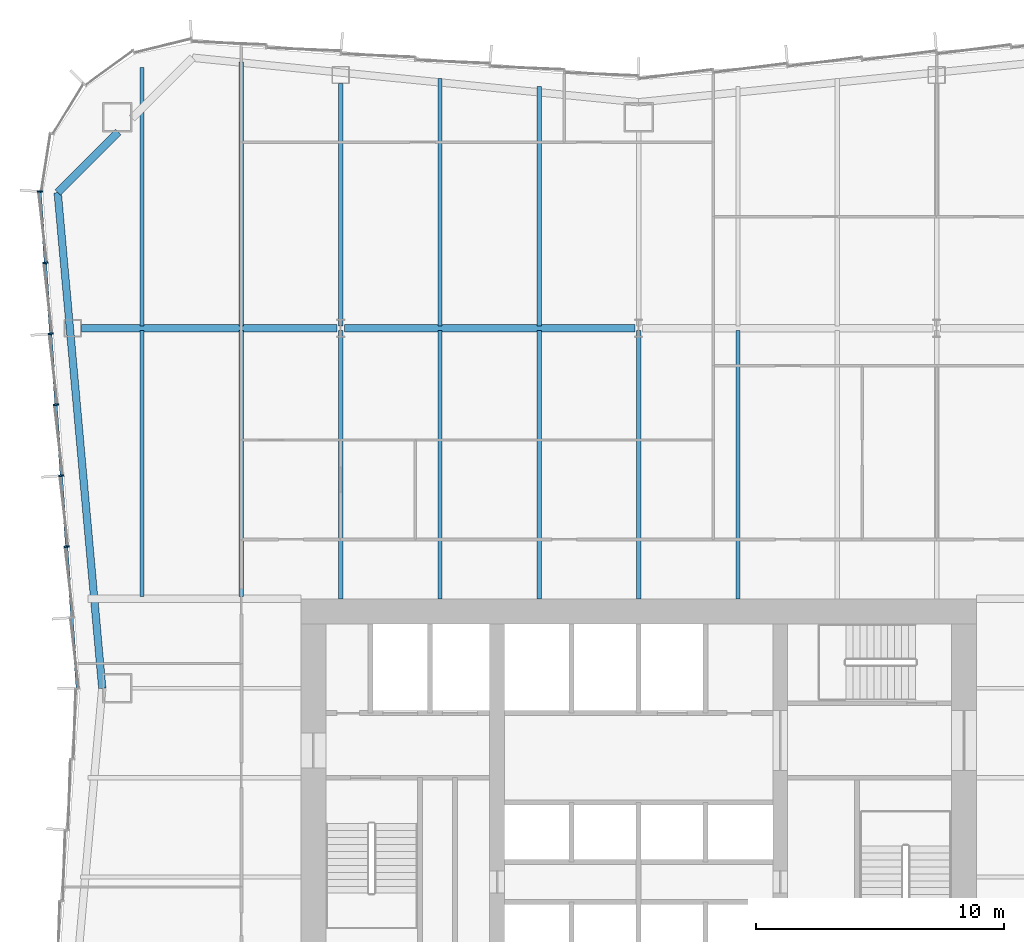
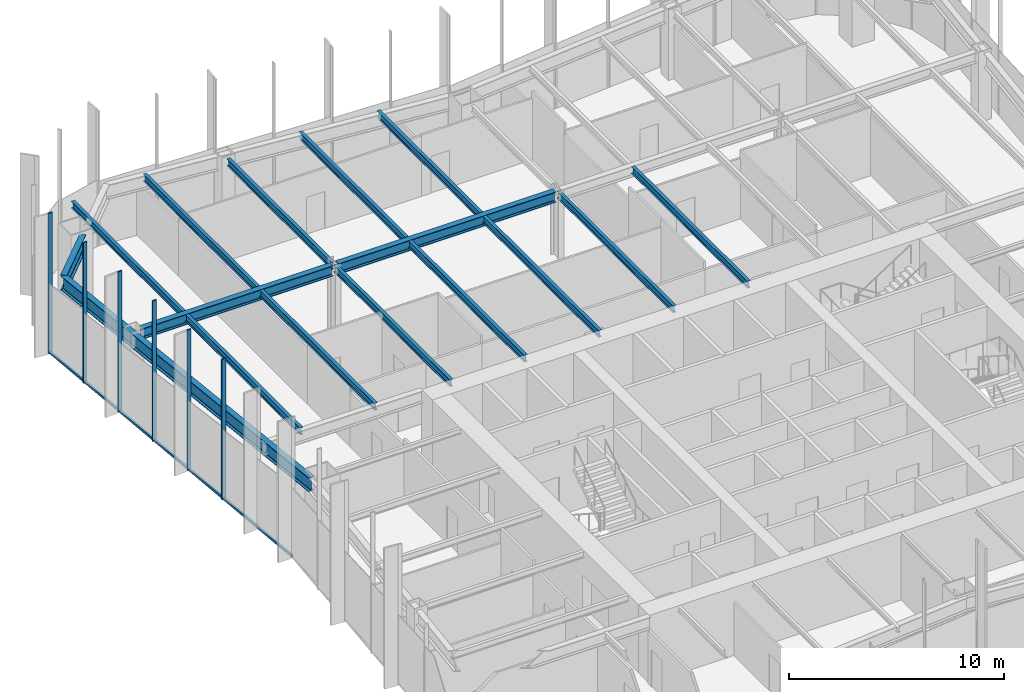
# One storey, part 5 of 14: 16 beams, 7 members, 1 element without a shape of its own.
"""IFC4 building model written with IfcOpenShell, lengths in metres."""

import ifcopenshell
import ifcopenshell.guid

model = None  # the IFC model being written
_history = None  # IfcOwnerHistory: only IFC2X3 demands one
_inside = {}  # id of a spatial element -> (the spatial element, [elements in it])
_under = {}  # id of a project, library or spatial element -> (it, [spatial elements below it])
_declared = {}  # id of a project -> (the project, [libraries it declares])
_typed = {}  # id of a type object -> (the type object, [elements of that type])
_made_of = {}  # id of a material, layer set ... -> (it, [elements and type objects made of it])


def new_model(schema):
    """Start an empty IFC model of exactly this schema.

    Asked for "IFC4X3", IfcOpenShell would pick the latest addendum, in which some entities
    have other attributes; the version numbers below select the first issue.
    IFC2X3 requires an IfcOwnerHistory on every rooted entity: one is made here for all.
    """
    global model, _history
    if schema == "IFC4X3":
        model = ifcopenshell.file(schema_version=(4, 3, 0, 0))
    else:
        model = ifcopenshell.file(schema=schema)
    _inside.clear()
    _under.clear()
    _declared.clear()
    _typed.clear()
    _made_of.clear()
    _history = None
    if model.schema == "IFC2X3":
        org = make("IfcOrganization", Name="unknown")
        user = make(
            "IfcPersonAndOrganization",
            ThePerson=make("IfcPerson", FamilyName="unknown"),
            TheOrganization=org,
        )
        app = make(
            "IfcApplication",
            ApplicationDeveloper=org,
            Version="unknown",
            ApplicationFullName="unknown",
            ApplicationIdentifier="unknown",
        )
        _history = make(
            "IfcOwnerHistory",
            OwningUser=user,
            OwningApplication=app,
            ChangeAction="ADDED",
            CreationDate=0,
        )
    return model


def make(cls, **values):
    """One entity of the class cls with the attributes given. An attribute that is None is left unset."""
    return model.create_entity(
        cls, **{name: value for name, value in values.items() if value is not None}
    )


def rooted(cls, **values):
    """An entity with a GlobalId (a new one), such as an element, a storey or a relation."""
    return make(cls, GlobalId=ifcopenshell.guid.new(), OwnerHistory=_history, **values)


def si_unit(unit_type, name, prefix=None):
    """IfcSIUnit, for example si_unit("LENGTHUNIT", "METRE", prefix="MILLI")."""
    return make("IfcSIUnit", UnitType=unit_type, Prefix=prefix, Name=name)


def assignment(units):
    """IfcUnitAssignment: the units of a project."""
    return None if units is None else make("IfcUnitAssignment", Units=units)


def point(xyz):
    """IfcCartesianPoint."""
    return None if xyz is None else make("IfcCartesianPoint", Coordinates=xyz)


def direction(xyz):
    """IfcDirection."""
    return None if xyz is None else make("IfcDirection", DirectionRatios=xyz)


def frame(location, z_axis=None, x_axis=None):
    """IfcAxis2Placement3D, a coordinate frame: its origin and axes. An axis left out is left unset."""
    return make(
        "IfcAxis2Placement3D",
        Location=point(location),
        Axis=direction(z_axis),
        RefDirection=direction(x_axis),
    )


def frame_2d(location, x_axis=None):
    """IfcAxis2Placement2D, a coordinate frame in the plane: its origin and x axis."""
    return make(
        "IfcAxis2Placement2D", Location=point(location), RefDirection=direction(x_axis)
    )


def origin():
    """The frame at (0, 0, 0) with its axes left unset."""
    return frame((0.0, 0.0, 0.0))


def origin_2d():
    """The frame at (0, 0) in the plane with its x axis left unset."""
    return frame_2d((0.0, 0.0))


def place(relative_to, where):
    """IfcLocalPlacement: puts the frame where relative to a parent placement (None: the world)."""
    return make(
        "IfcLocalPlacement", PlacementRelTo=relative_to, RelativePlacement=where
    )


def context(
    kind, dimensions, precision=None, world=None, true_north=None, identifier=None
):
    """IfcGeometricRepresentationContext, for example the 3D "Model" context."""
    return make(
        "IfcGeometricRepresentationContext",
        ContextIdentifier=identifier,
        ContextType=kind,
        CoordinateSpaceDimension=dimensions,
        Precision=precision,
        WorldCoordinateSystem=world,
        TrueNorth=true_north,
    )


def subcontext(parent, identifier, kind, view, scale=None):
    """IfcGeometricRepresentationSubContext, for example "Body" below "Model"."""
    return make(
        "IfcGeometricRepresentationSubContext",
        ContextIdentifier=identifier,
        ContextType=kind,
        ParentContext=parent,
        TargetScale=scale,
        TargetView=view,
    )


def project(units=None, contexts=None):
    """IfcProject with its units and contexts."""
    return rooted(
        "IfcProject",
        Name="project",
        RepresentationContexts=contexts,
        UnitsInContext=assignment(units),
    )


def spatial(cls, under=None, at=None, **own):
    """A site, building, storey or space (cls), placed at a placement, below another one or the project."""
    s = rooted(cls, ObjectPlacement=at, **own)
    if under is not None:
        _under.setdefault(under.id(), (under, []))[1].append(s)
    return s


def profile(cls, at=None, kind="AREA", **sizes):
    """A parametric profile (cls). Its sizes go by their IFC names, for example OverallWidth=200.0."""
    return make(cls, ProfileType=kind, Position=at, **sizes)


def rectangle(**sizes):
    """IfcRectangleProfileDef."""
    return profile("IfcRectangleProfileDef", **sizes)


def i_section(**sizes):
    """IfcIShapeProfileDef."""
    return profile("IfcIShapeProfileDef", **sizes)


def extrude(swept, where, along, depth):
    """IfcExtrudedAreaSolid: the profile swept, set in the frame where, extruded along a direction by depth."""
    return make(
        "IfcExtrudedAreaSolid",
        SweptArea=swept,
        Position=where,
        ExtrudedDirection=direction(along),
        Depth=depth,
    )


def shape(context_of_items, identifier, shape_type, items):
    """IfcShapeRepresentation: the items that make up one representation, for example the "Body"."""
    return make(
        "IfcShapeRepresentation",
        ContextOfItems=context_of_items,
        RepresentationIdentifier=identifier,
        RepresentationType=shape_type,
        Items=items,
    )


def material(Name=None, Category=None):
    """IfcMaterial."""
    return make("IfcMaterial", Name=Name, Category=Category)


def material_profile(
    of_material, cross_section, Name=None, Category=None, Priority=None
):
    """IfcMaterialProfile: a cross section and its material."""
    return make(
        "IfcMaterialProfile",
        Name=Name,
        Material=of_material,
        Profile=cross_section,
        Priority=Priority,
        Category=Category,
    )


def profile_set(profiles, Name=None, composite=None):
    """IfcMaterialProfileSet."""
    return make(
        "IfcMaterialProfileSet",
        Name=Name,
        MaterialProfiles=profiles,
        CompositeProfile=composite,
    )


def made_of(thing, what):
    """Note that an element or type object is made of a material, layer set ...; save() writes the relation."""
    if what is not None:
        _made_of.setdefault(what.id(), (what, []))[1].append(thing)
    return thing


def type_object(cls, material=None, **own):
    """A type object (cls), such as IfcWallType, which elements share."""
    return made_of(rooted(cls, **own), material)


def element(
    cls,
    number,
    at=None,
    inside=None,
    cuts=None,
    type_object=None,
    material=None,
    context=None,
    identifier="Body",
    shape_type=None,
    held_by="IfcProductDefinitionShape",
    body=None,
    shapes=None,
    **own,
):
    """One element of the class cls, such as IfcWall. Its Tag is "e" and its number.

    at: its placement. inside: the storey or other place that contains it. cuts: it is an
    opening in that element (IfcRelVoidsElement). A single representation is given by context,
    identifier, shape_type and body (its items); several are given by shapes. held_by: the class
    of the entity that holds the representations. save() writes the other relations.
    """
    e = rooted(cls, Tag="e%d" % number, ObjectPlacement=at, **own)
    if body is not None:
        shapes = [shape(context, identifier, shape_type, body)]
    if shapes is not None:
        e.Representation = make(held_by, Representations=shapes)
    if inside is not None:
        _inside.setdefault(inside.id(), (inside, []))[1].append(e)
    if cuts is not None:
        rooted(
            "IfcRelVoidsElement", RelatingBuildingElement=cuts, RelatedOpeningElement=e
        )
    if type_object is not None:
        _typed.setdefault(type_object.id(), (type_object, []))[1].append(e)
    return made_of(e, material)


def aggregate(whole, parts):
    """IfcRelAggregates: a whole, such as a stair, and the parts it consists of."""
    return rooted("IfcRelAggregates", RelatingObject=whole, RelatedObjects=parts)


def save(model, path):
    """Write the relations noted so far, then the file.

    IfcRelAggregates (storeys below a building ...), IfcRelContainedInSpatialStructure (elements
    in a storey), IfcRelDefinesByType, IfcRelAssociatesMaterial and IfcRelDeclares: one each for
    every whole, place, type object, material and project.
    """
    for whole, parts in _under.values():
        aggregate(whole, parts)
    for where, things in _inside.values():
        rooted(
            "IfcRelContainedInSpatialStructure",
            RelatedElements=things,
            RelatingStructure=where,
        )
    for kind, things in _typed.values():
        rooted("IfcRelDefinesByType", RelatedObjects=things, RelatingType=kind)
    for what, things in _made_of.values():
        rooted("IfcRelAssociatesMaterial", RelatedObjects=things, RelatingMaterial=what)
    for by, libraries in _declared.values():
        rooted("IfcRelDeclares", RelatingContext=by, RelatedDefinitions=libraries)
    model.write(path)


model = new_model("IFC4")

# Units and contexts
model_context = context("Model", 3, precision=1e-05, world=origin(), true_north=direction((0.0, 1.0)))
body_context = subcontext(model_context, "Body", "Model", "MODEL_VIEW")
ifc_project = project(units=[si_unit("LENGTHUNIT", "METRE"), si_unit("AREAUNIT", "SQUARE_METRE"), si_unit("VOLUMEUNIT", "CUBIC_METRE"), si_unit("PLANEANGLEUNIT", "RADIAN"), si_unit("MASSUNIT", "GRAM", prefix="KILO")], contexts=[model_context])

# Site, building, storey
site_placement = place(None, origin())
site = spatial("IfcSite", under=ifc_project, at=site_placement, CompositionType="ELEMENT")
building_placement = place(site_placement, origin())
building = spatial("IfcBuilding", under=site, at=building_placement, Name="Verdant Reach Tower", CompositionType="ELEMENT")
storey_placement = place(building_placement, frame((0.0, 0.0, 162.0)))
storey = spatial("IfcBuildingStorey", under=building, at=storey_placement, Name="L37", CompositionType="ELEMENT", Elevation=162.0)

# Curtain wall, members
ifc_material_1 = material(Name="Anodised aluminium", Category="aluminium")
curtain_wall_type = type_object("IfcCurtainWallType", Name="EN-CW SYSTEM Z2", PredefinedType="NOTDEFINED", material=ifc_material_1)
curtain_wall_placement = place(storey_placement, origin())
curtain_wall = element("IfcCurtainWall", 1, at=curtain_wall_placement, inside=storey, type_object=curtain_wall_type, Name="Curtain wall west, L37", PredefinedType="NOTDEFINED")
ifc_material_profile_1 = material_profile(ifc_material_1, rectangle(XDim=0.2119140625, YDim=0.06396484375, at=origin_2d()), Name="Mullion 64x212")
ifc_profile_set_1 = profile_set([ifc_material_profile_1], Name="Anodised aluminium")
member_type_1 = type_object("IfcMemberType", Name="EN-MULLION Z2", PredefinedType="MULLION", material=ifc_profile_set_1)
member_1_placement = place(storey_placement, frame((-24.105712890625, 55.00634765625, -0.35009765625), z_axis=(0.0, 0.0, 1.0), x_axis=(-0.998155887542, 0.060702752526, 0.0)))
member_1 = element("IfcMember", 2, at=member_1_placement, type_object=member_type_1, Name="Mullion west face part 1 1, L37", PredefinedType="MULLION", context=body_context, shape_type="SweptSolid", body=[
    extrude(rectangle(XDim=0.2119140625, YDim=0.06396484375, at=origin_2d()), origin(), (0.0, 0.0, 1.0), 8.0),
])
member_2_placement = place(storey_placement, frame((-23.891357421875, 52.135009765625, -0.35009765625), z_axis=(0.0, 0.0, 1.0), x_axis=(-0.997199309888, -0.074789948245, 0.0)))
member_2 = element("IfcMember", 3, at=member_2_placement, type_object=member_type_1, Name="Mullion west face part 1 2, L37", PredefinedType="MULLION", context=body_context, shape_type="SweptSolid", body=[
    extrude(rectangle(XDim=0.2119140625, YDim=0.06396484375, at=origin_2d()), origin(), (0.0, 0.0, 1.0), 8.0),
])
member_3_placement = place(storey_placement, frame((-23.67724609375, 49.27783203125, -0.35009765625), z_axis=(0.0, 0.0, 1.0), x_axis=(-0.997199309888, -0.074789948245, 0.0)))
member_3 = element("IfcMember", 4, at=member_3_placement, type_object=member_type_1, Name="Mullion west face part 1 3, L37", PredefinedType="MULLION", context=body_context, shape_type="SweptSolid", body=[
    extrude(rectangle(XDim=0.2119140625, YDim=0.06396484375, at=origin_2d()), origin(), (0.0, 0.0, 1.0), 8.0),
])
member_4_placement = place(storey_placement, frame((-23.462890625, 46.420654296875, -0.35009765625), z_axis=(0.0, 0.0, 1.0), x_axis=(-0.997199309888, -0.074789948245, 0.0)))
member_4 = element("IfcMember", 5, at=member_4_placement, type_object=member_type_1, Name="Mullion west face part 1 4, L37", PredefinedType="MULLION", context=body_context, shape_type="SweptSolid", body=[
    extrude(rectangle(XDim=0.2119140625, YDim=0.06396484375, at=origin_2d()), origin(), (0.0, 0.0, 1.0), 8.0),
])
member_5_placement = place(storey_placement, frame((-23.24853515625, 43.5634765625, -0.35009765625), z_axis=(0.0, 0.0, 1.0), x_axis=(-0.997199309888, -0.074789948245, 0.0)))
member_5 = element("IfcMember", 6, at=member_5_placement, type_object=member_type_1, Name="Mullion west face part 1 5, L37", PredefinedType="MULLION", context=body_context, shape_type="SweptSolid", body=[
    extrude(rectangle(XDim=0.2119140625, YDim=0.06396484375, at=origin_2d()), origin(), (0.0, 0.0, 1.0), 8.0),
])
member_6_placement = place(storey_placement, frame((-23.0341796875, 40.706298828125, -0.35009765625), z_axis=(0.0, 0.0, 1.0), x_axis=(-0.997199309888, -0.074789948245, 0.0)))
member_6 = element("IfcMember", 7, at=member_6_placement, type_object=member_type_1, Name="Mullion west face part 1 6, L37", PredefinedType="MULLION", context=body_context, shape_type="SweptSolid", body=[
    extrude(rectangle(XDim=0.2119140625, YDim=0.06396484375, at=origin_2d()), origin(), (0.0, 0.0, 1.0), 8.0),
])
ifc_material_profile_2 = material_profile(ifc_material_1, rectangle(XDim=0.10009765625, YDim=0.1240234375, at=origin_2d()), Name="Transom 124x100")
ifc_profile_set_2 = profile_set([ifc_material_profile_2], Name="Anodised aluminium")
member_type_2 = type_object("IfcMemberType", Name="EN-TRANSOM Z2", PredefinedType="USERDEFINED", material=ifc_profile_set_2)
member_7_placement = place(storey_placement, frame((-24.103515625, 54.974609375, -0.2880859375), z_axis=(0.07476111665, -0.997201471839, 0.0), x_axis=(0.997201471839, 0.07476111665, 0.0)))
member_7 = element("IfcMember", 8, at=member_7_placement, type_object=member_type_2, Name="Transom west face part 1 1.1, L37", ObjectType="TRANSOM", PredefinedType="USERDEFINED", context=body_context, shape_type="SweptSolid", body=[
    extrude(rectangle(XDim=0.10009765625, YDim=0.1240234375, at=origin_2d()), origin(), (0.0, 0.0, 1.0), 19.99853515625),
])
aggregate(curtain_wall, [member_1, member_2, member_3, member_4, member_5, member_6, member_7])

# Beams
ifc_material_2 = material(Name="Steel S355", Category="steel")
ifc_material_profile_3 = material_profile(ifc_material_2, i_section(OverallWidth=0.300048828125, OverallDepth=0.60009765625, WebThickness=0.015380859375, FlangeThickness=0.030029296875, FilletRadius=0.027099609375, at=origin_2d()), Name="HEB 600")
ifc_profile_set_3 = profile_set([ifc_material_profile_3], Name="Steel S355")
beam_type_1 = type_object("IfcBeamType", Name="ST-BEAM-HEB600", PredefinedType="BEAM", material=ifc_profile_set_3)
beam_1_placement = place(storey_placement, frame((-22.4375, 49.5, 3.570068359375), z_axis=(1.0, 0.0, 0.0), x_axis=(0.0, 1.0, 0.0)))
element("IfcBeam", 9, at=beam_1_placement, inside=storey, type_object=beam_type_1, Name="Row girder, L37", PredefinedType="BEAM", context=body_context, shape_type="SweptSolid", body=[
    extrude(i_section(OverallWidth=0.300048828125, OverallDepth=0.60009765625, WebThickness=0.015380859375, FlangeThickness=0.030029296875, FilletRadius=0.027099609375, at=origin_2d()), origin(), (0.0, 0.0, 1.0), 10.283447265625),
])
beam_2_placement = place(storey_placement, frame((-11.845947265625, 49.5, 3.570068359375), z_axis=(1.0, 0.0, 0.0), x_axis=(0.0, 1.0, 0.0)))
element("IfcBeam", 10, at=beam_2_placement, inside=storey, type_object=beam_type_1, Name="Row girder, L37", PredefinedType="BEAM", context=body_context, shape_type="SweptSolid", body=[
    extrude(i_section(OverallWidth=0.300048828125, OverallDepth=0.60009765625, WebThickness=0.015380859375, FlangeThickness=0.030029296875, FilletRadius=0.027099609375, at=origin_2d()), origin(), (0.0, 0.0, 1.0), 11.69189453125),
])
ifc_material_profile_4 = material_profile(ifc_material_2, i_section(OverallWidth=0.179931640625, OverallDepth=0.39990234375, WebThickness=0.008544921875, FlangeThickness=0.013427734375, FilletRadius=0.02099609375, at=origin_2d()), Name="IPE 400")
ifc_profile_set_4 = profile_set([ifc_material_profile_4], Name="Steel S355")
beam_type_2 = type_object("IfcBeamType", Name="ST-JOIST-IPE400", PredefinedType="JOIST", material=ifc_profile_set_4)
beam_3_placement = place(storey_placement, frame((-20.0, 38.699951171875, 3.669921875), z_axis=(0.0, 1.0, 0.0), x_axis=(-1.0, 0.0, 0.0)))
element("IfcBeam", 11, at=beam_3_placement, inside=storey, type_object=beam_type_2, Name="Floor joist, L37", PredefinedType="JOIST", context=body_context, shape_type="SweptSolid", body=[
    extrude(i_section(OverallWidth=0.179931640625, OverallDepth=0.39990234375, WebThickness=0.008544921875, FlangeThickness=0.013427734375, FilletRadius=0.02099609375, at=origin_2d()), origin(), (0.0, 0.0, 1.0), 10.699951171875),
])
beam_4_placement = place(storey_placement, frame((-20.0, 49.60009765625, 3.669921875), z_axis=(0.0, 1.0, 0.0), x_axis=(-1.0, 0.0, 0.0)))
element("IfcBeam", 12, at=beam_4_placement, inside=storey, type_object=beam_type_2, Name="Floor joist, L37", PredefinedType="JOIST", context=body_context, shape_type="SweptSolid", body=[
    extrude(i_section(OverallWidth=0.179931640625, OverallDepth=0.39990234375, WebThickness=0.008544921875, FlangeThickness=0.013427734375, FilletRadius=0.02099609375, at=origin_2d()), origin(), (0.0, 0.0, 1.0), 10.390380859375),
])
beam_5_placement = place(storey_placement, frame((-16.0, 38.699951171875, 3.669921875), z_axis=(0.0, 1.0, 0.0), x_axis=(-1.0, 0.0, 0.0)))
element("IfcBeam", 13, at=beam_5_placement, inside=storey, type_object=beam_type_2, Name="Floor joist, L37", PredefinedType="JOIST", context=body_context, shape_type="SweptSolid", body=[
    extrude(i_section(OverallWidth=0.179931640625, OverallDepth=0.39990234375, WebThickness=0.008544921875, FlangeThickness=0.013427734375, FilletRadius=0.02099609375, at=origin_2d()), origin(), (0.0, 0.0, 1.0), 10.699951171875),
])
beam_6_placement = place(storey_placement, frame((-16.0, 49.60009765625, 3.669921875), z_axis=(0.0, 1.0, 0.0), x_axis=(-1.0, 0.0, 0.0)))
element("IfcBeam", 14, at=beam_6_placement, inside=storey, type_object=beam_type_2, Name="Floor joist, L37", PredefinedType="JOIST", context=body_context, shape_type="SweptSolid", body=[
    extrude(i_section(OverallWidth=0.179931640625, OverallDepth=0.39990234375, WebThickness=0.008544921875, FlangeThickness=0.013427734375, FilletRadius=0.02099609375, at=origin_2d()), origin(), (0.0, 0.0, 1.0), 10.631103515625),
])
beam_7_placement = place(storey_placement, frame((-12.0, 38.60009765625, 3.669921875), z_axis=(0.0, 1.0, 0.0), x_axis=(-1.0, 0.0, 0.0)))
element("IfcBeam", 15, at=beam_7_placement, inside=storey, type_object=beam_type_2, Name="Floor joist, L37", PredefinedType="JOIST", context=body_context, shape_type="SweptSolid", body=[
    extrude(i_section(OverallWidth=0.179931640625, OverallDepth=0.39990234375, WebThickness=0.008544921875, FlangeThickness=0.013427734375, FilletRadius=0.02099609375, at=origin_2d()), origin(), (0.0, 0.0, 1.0), 10.7998046875),
])
beam_8_placement = place(storey_placement, frame((-12.0, 49.60009765625, 3.669921875), z_axis=(0.0, 1.0, 0.0), x_axis=(-1.0, 0.0, 0.0)))
element("IfcBeam", 16, at=beam_8_placement, inside=storey, type_object=beam_type_2, Name="Floor joist, L37", PredefinedType="JOIST", context=body_context, shape_type="SweptSolid", body=[
    extrude(i_section(OverallWidth=0.179931640625, OverallDepth=0.39990234375, WebThickness=0.008544921875, FlangeThickness=0.013427734375, FilletRadius=0.02099609375, at=origin_2d()), origin(), (0.0, 0.0, 1.0), 9.75),
])
beam_9_placement = place(storey_placement, frame((-8.0, 38.60009765625, 3.669921875), z_axis=(0.0, 1.0, 0.0), x_axis=(-1.0, 0.0, 0.0)))
element("IfcBeam", 17, at=beam_9_placement, inside=storey, type_object=beam_type_2, Name="Floor joist, L37", PredefinedType="JOIST", context=body_context, shape_type="SweptSolid", body=[
    extrude(i_section(OverallWidth=0.179931640625, OverallDepth=0.39990234375, WebThickness=0.008544921875, FlangeThickness=0.013427734375, FilletRadius=0.02099609375, at=origin_2d()), origin(), (0.0, 0.0, 1.0), 10.7998046875),
])
beam_10_placement = place(storey_placement, frame((-8.0, 49.60009765625, 3.669921875), z_axis=(0.0, 1.0, 0.0), x_axis=(-1.0, 0.0, 0.0)))
element("IfcBeam", 18, at=beam_10_placement, inside=storey, type_object=beam_type_2, Name="Floor joist, L37", PredefinedType="JOIST", context=body_context, shape_type="SweptSolid", body=[
    extrude(i_section(OverallWidth=0.179931640625, OverallDepth=0.39990234375, WebThickness=0.008544921875, FlangeThickness=0.013427734375, FilletRadius=0.02099609375, at=origin_2d()), origin(), (0.0, 0.0, 1.0), 9.964599609375),
])
beam_11_placement = place(storey_placement, frame((-4.0, 38.60009765625, 3.669921875), z_axis=(0.0, 1.0, 0.0), x_axis=(-1.0, 0.0, 0.0)))
element("IfcBeam", 19, at=beam_11_placement, inside=storey, type_object=beam_type_2, Name="Floor joist, L37", PredefinedType="JOIST", context=body_context, shape_type="SweptSolid", body=[
    extrude(i_section(OverallWidth=0.179931640625, OverallDepth=0.39990234375, WebThickness=0.008544921875, FlangeThickness=0.013427734375, FilletRadius=0.02099609375, at=origin_2d()), origin(), (0.0, 0.0, 1.0), 10.7998046875),
])
beam_12_placement = place(storey_placement, frame((-4.0, 49.60009765625, 3.669921875), z_axis=(0.0, 1.0, 0.0), x_axis=(-1.0, 0.0, 0.0)))
element("IfcBeam", 20, at=beam_12_placement, inside=storey, type_object=beam_type_2, Name="Floor joist, L37", PredefinedType="JOIST", context=body_context, shape_type="SweptSolid", body=[
    extrude(i_section(OverallWidth=0.179931640625, OverallDepth=0.39990234375, WebThickness=0.008544921875, FlangeThickness=0.013427734375, FilletRadius=0.02099609375, at=origin_2d()), origin(), (0.0, 0.0, 1.0), 9.631103515625),
])
for number, where, z_axis, x_axis, name in (
    (21, (0.0, 38.60009765625, 3.669921875), (0.0, 1.0, 0.0), (-1.0, 0.0, 0.0), "Floor joist, L37"),
    (22, (4.0, 38.60009765625, 3.669921875), (0.0, 1.0, 0.0), (-1.0, 0.0, 0.0), "Floor joist, L37"),
):
    element("IfcBeam", number, at=place(storey_placement, frame(where, z_axis=z_axis, x_axis=x_axis)), inside=storey, type_object=beam_type_2, Name=name, PredefinedType="JOIST", context=body_context, shape_type="SweptSolid", body=[
        extrude(i_section(OverallWidth=0.179931640625, OverallDepth=0.39990234375, WebThickness=0.008544921875, FlangeThickness=0.013427734375, FilletRadius=0.02099609375, at=origin_2d()), origin(), (0.0, 0.0, 1.0), 10.7998046875),
    ])
ifc_material_profile_5 = material_profile(ifc_material_2, i_section(OverallWidth=0.300048828125, OverallDepth=0.800048828125, WebThickness=0.017578125, FlangeThickness=0.032958984375, FilletRadius=0.030029296875, at=origin_2d()), Name="HEB 800")
ifc_profile_set_5 = profile_set([ifc_material_profile_5], Name="Steel S355")
beam_type_3 = type_object("IfcBeamType", Name="ST-SPANDREL-HEB800", PredefinedType="SPANDREL", material=ifc_profile_set_5)
beam_13_placement = place(storey_placement, frame((-21.60009765625, 35.0, 3.469970703125), z_axis=(-0.089574749266, 0.995980102358, 0.0), x_axis=(-0.995980102358, -0.089574749266, 0.0)))
element("IfcBeam", 23, at=beam_13_placement, inside=storey, type_object=beam_type_3, Name="Edge beam, L37", PredefinedType="SPANDREL", context=body_context, shape_type="SweptSolid", body=[
    extrude(i_section(OverallWidth=0.300048828125, OverallDepth=0.800048828125, WebThickness=0.017578125, FlangeThickness=0.032958984375, FilletRadius=0.030029296875, at=origin_2d()), origin(), (0.0, 0.0, 1.0), 20.043701171875),
])
ifc_material_profile_6 = material_profile(ifc_material_2, i_section(OverallWidth=0.302001953125, OverallDepth=0.909912109375, WebThickness=0.02099609375, FlangeThickness=0.0400390625, FilletRadius=0.030029296875, at=origin_2d()), Name="HEM 900")
ifc_profile_set_6 = profile_set([ifc_material_profile_6], Name="Steel S355")
beam_type_4 = type_object("IfcBeamType", Name="ST-SPANDREL-HEM900", PredefinedType="SPANDREL", material=ifc_profile_set_6)
beam_14_placement = place(storey_placement, frame((-23.3955078125, 54.963134765625, 3.4150390625), z_axis=(0.706965048022, 0.707248485948, 0.0), x_axis=(-0.707248485948, 0.706965048022, 0.0)))
element("IfcBeam", 24, at=beam_14_placement, inside=storey, type_object=beam_type_4, Name="Edge beam, L37", PredefinedType="SPANDREL", context=body_context, shape_type="SweptSolid", body=[
    extrude(i_section(OverallWidth=0.302001953125, OverallDepth=0.909912109375, WebThickness=0.02099609375, FlangeThickness=0.0400390625, FilletRadius=0.030029296875, at=origin_2d()), origin(), (0.0, 0.0, 1.0), 3.4453125),
])

save(model, "model.ifc")
